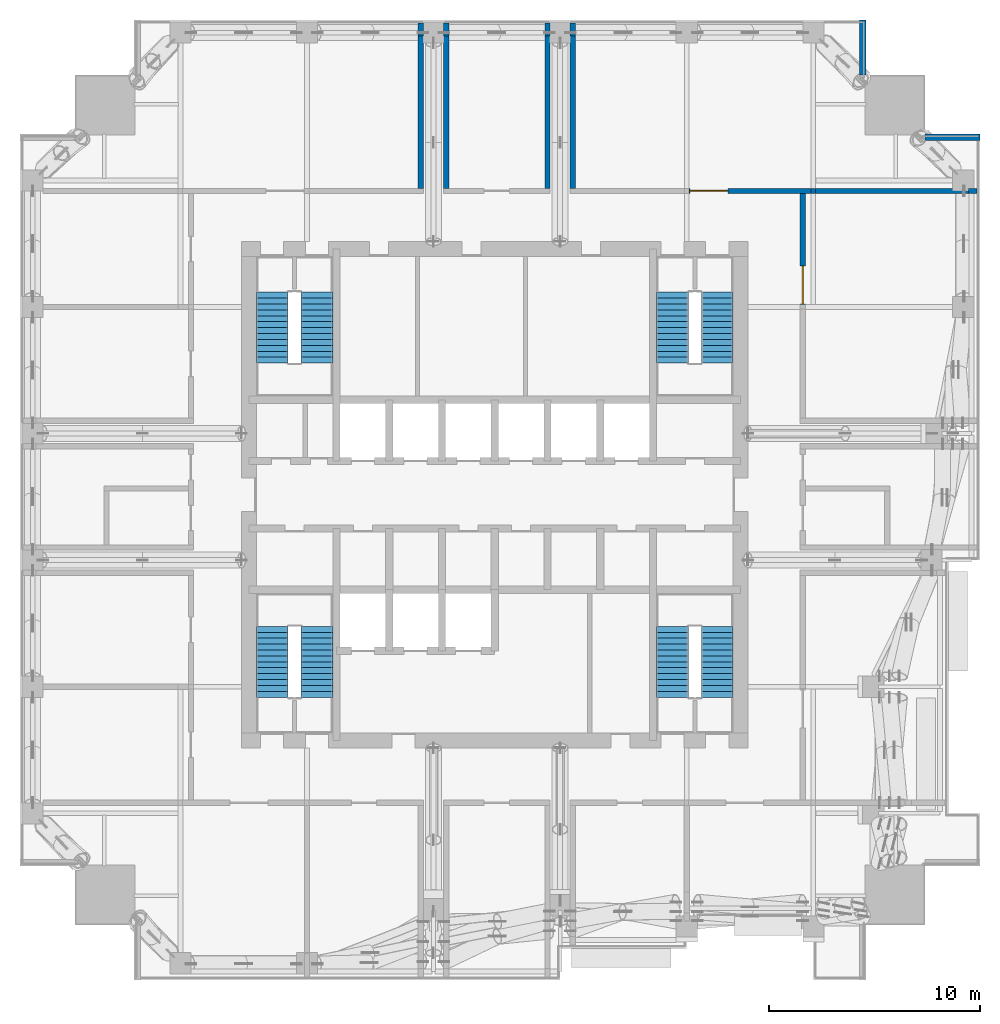
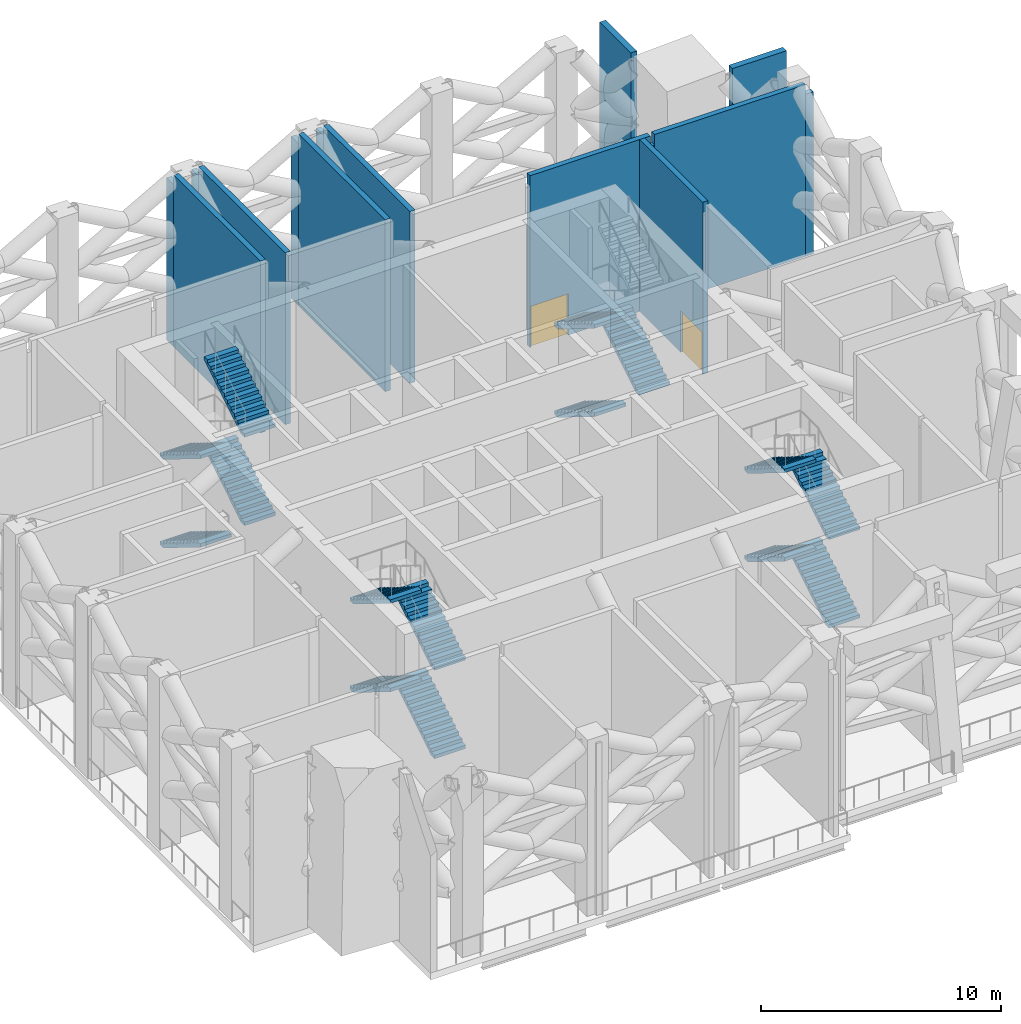
# One storey, part 10 of 18: 15 stair flights, 15 walls, 2 doors, 2 openings, 4 elements without a shape of their own.
"""IFC4 building model written with IfcOpenShell, lengths in metres."""

import ifcopenshell
import ifcopenshell.guid

model = None  # the IFC model being written
_history = None  # IfcOwnerHistory: only IFC2X3 demands one
_inside = {}  # id of a spatial element -> (the spatial element, [elements in it])
_under = {}  # id of a project, library or spatial element -> (it, [spatial elements below it])
_declared = {}  # id of a project -> (the project, [libraries it declares])
_typed = {}  # id of a type object -> (the type object, [elements of that type])
_made_of = {}  # id of a material, layer set ... -> (it, [elements and type objects made of it])


def new_model(schema):
    """Start an empty IFC model of exactly this schema.

    Asked for "IFC4X3", IfcOpenShell would pick the latest addendum, in which some entities
    have other attributes; the version numbers below select the first issue.
    IFC2X3 requires an IfcOwnerHistory on every rooted entity: one is made here for all.
    """
    global model, _history
    if schema == "IFC4X3":
        model = ifcopenshell.file(schema_version=(4, 3, 0, 0))
    else:
        model = ifcopenshell.file(schema=schema)
    _inside.clear()
    _under.clear()
    _declared.clear()
    _typed.clear()
    _made_of.clear()
    _history = None
    if model.schema == "IFC2X3":
        org = make("IfcOrganization", Name="unknown")
        user = make(
            "IfcPersonAndOrganization",
            ThePerson=make("IfcPerson", FamilyName="unknown"),
            TheOrganization=org,
        )
        app = make(
            "IfcApplication",
            ApplicationDeveloper=org,
            Version="unknown",
            ApplicationFullName="unknown",
            ApplicationIdentifier="unknown",
        )
        _history = make(
            "IfcOwnerHistory",
            OwningUser=user,
            OwningApplication=app,
            ChangeAction="ADDED",
            CreationDate=0,
        )
    return model


def make(cls, **values):
    """One entity of the class cls with the attributes given. An attribute that is None is left unset."""
    return model.create_entity(
        cls, **{name: value for name, value in values.items() if value is not None}
    )


def rooted(cls, **values):
    """An entity with a GlobalId (a new one), such as an element, a storey or a relation."""
    return make(cls, GlobalId=ifcopenshell.guid.new(), OwnerHistory=_history, **values)


def si_unit(unit_type, name, prefix=None):
    """IfcSIUnit, for example si_unit("LENGTHUNIT", "METRE", prefix="MILLI")."""
    return make("IfcSIUnit", UnitType=unit_type, Prefix=prefix, Name=name)


def assignment(units):
    """IfcUnitAssignment: the units of a project."""
    return None if units is None else make("IfcUnitAssignment", Units=units)


def point(xyz):
    """IfcCartesianPoint."""
    return None if xyz is None else make("IfcCartesianPoint", Coordinates=xyz)


def direction(xyz):
    """IfcDirection."""
    return None if xyz is None else make("IfcDirection", DirectionRatios=xyz)


def frame(location, z_axis=None, x_axis=None):
    """IfcAxis2Placement3D, a coordinate frame: its origin and axes. An axis left out is left unset."""
    return make(
        "IfcAxis2Placement3D",
        Location=point(location),
        Axis=direction(z_axis),
        RefDirection=direction(x_axis),
    )


def frame_2d(location, x_axis=None):
    """IfcAxis2Placement2D, a coordinate frame in the plane: its origin and x axis."""
    return make(
        "IfcAxis2Placement2D", Location=point(location), RefDirection=direction(x_axis)
    )


def origin():
    """The frame at (0, 0, 0) with its axes left unset."""
    return frame((0.0, 0.0, 0.0))


def place(relative_to, where):
    """IfcLocalPlacement: puts the frame where relative to a parent placement (None: the world)."""
    return make(
        "IfcLocalPlacement", PlacementRelTo=relative_to, RelativePlacement=where
    )


def context(
    kind, dimensions, precision=None, world=None, true_north=None, identifier=None
):
    """IfcGeometricRepresentationContext, for example the 3D "Model" context."""
    return make(
        "IfcGeometricRepresentationContext",
        ContextIdentifier=identifier,
        ContextType=kind,
        CoordinateSpaceDimension=dimensions,
        Precision=precision,
        WorldCoordinateSystem=world,
        TrueNorth=true_north,
    )


def subcontext(parent, identifier, kind, view, scale=None):
    """IfcGeometricRepresentationSubContext, for example "Body" below "Model"."""
    return make(
        "IfcGeometricRepresentationSubContext",
        ContextIdentifier=identifier,
        ContextType=kind,
        ParentContext=parent,
        TargetScale=scale,
        TargetView=view,
    )


def project(units=None, contexts=None):
    """IfcProject with its units and contexts."""
    return rooted(
        "IfcProject",
        Name="project",
        RepresentationContexts=contexts,
        UnitsInContext=assignment(units),
    )


def spatial(cls, under=None, at=None, **own):
    """A site, building, storey or space (cls), placed at a placement, below another one or the project."""
    s = rooted(cls, ObjectPlacement=at, **own)
    if under is not None:
        _under.setdefault(under.id(), (under, []))[1].append(s)
    return s


def polyline(points):
    """IfcPolyline through the points."""
    return make("IfcPolyline", Points=[point(p) for p in points])


def profile(cls, at=None, kind="AREA", **sizes):
    """A parametric profile (cls). Its sizes go by their IFC names, for example OverallWidth=200.0."""
    return make(cls, ProfileType=kind, Position=at, **sizes)


def rectangle(**sizes):
    """IfcRectangleProfileDef."""
    return profile("IfcRectangleProfileDef", **sizes)


def outline(outer, holes=None, kind="AREA"):
    """IfcArbitraryClosedProfileDef: a profile drawn as a closed curve; with holes, ...WithVoids."""
    if holes is None:
        return make("IfcArbitraryClosedProfileDef", ProfileType=kind, OuterCurve=outer)
    return make(
        "IfcArbitraryProfileDefWithVoids",
        ProfileType=kind,
        OuterCurve=outer,
        InnerCurves=holes,
    )


def extrude(swept, where, along, depth):
    """IfcExtrudedAreaSolid: the profile swept, set in the frame where, extruded along a direction by depth."""
    return make(
        "IfcExtrudedAreaSolid",
        SweptArea=swept,
        Position=where,
        ExtrudedDirection=direction(along),
        Depth=depth,
    )


def shape(context_of_items, identifier, shape_type, items):
    """IfcShapeRepresentation: the items that make up one representation, for example the "Body"."""
    return make(
        "IfcShapeRepresentation",
        ContextOfItems=context_of_items,
        RepresentationIdentifier=identifier,
        RepresentationType=shape_type,
        Items=items,
    )


def material(Name=None, Category=None):
    """IfcMaterial."""
    return make("IfcMaterial", Name=Name, Category=Category)


def layer(
    of_material, thickness, ventilated=None, Name=None, Category=None, Priority=None
):
    """IfcMaterialLayer: one layer of a wall or slab, of a material (None: an air gap)."""
    return make(
        "IfcMaterialLayer",
        Material=of_material,
        LayerThickness=thickness,
        IsVentilated=ventilated,
        Name=Name,
        Category=Category,
        Priority=Priority,
    )


def layer_set(layers, Name=None):
    """IfcMaterialLayerSet."""
    return make("IfcMaterialLayerSet", MaterialLayers=layers, LayerSetName=Name)


def made_of(thing, what):
    """Note that an element or type object is made of a material, layer set ...; save() writes the relation."""
    if what is not None:
        _made_of.setdefault(what.id(), (what, []))[1].append(thing)
    return thing


def type_object(cls, material=None, **own):
    """A type object (cls), such as IfcWallType, which elements share."""
    return made_of(rooted(cls, **own), material)


def element(
    cls,
    number,
    at=None,
    inside=None,
    cuts=None,
    type_object=None,
    material=None,
    context=None,
    identifier="Body",
    shape_type=None,
    held_by="IfcProductDefinitionShape",
    body=None,
    shapes=None,
    **own,
):
    """One element of the class cls, such as IfcWall. Its Tag is "e" and its number.

    at: its placement. inside: the storey or other place that contains it. cuts: it is an
    opening in that element (IfcRelVoidsElement). A single representation is given by context,
    identifier, shape_type and body (its items); several are given by shapes. held_by: the class
    of the entity that holds the representations. save() writes the other relations.
    """
    e = rooted(cls, Tag="e%d" % number, ObjectPlacement=at, **own)
    if body is not None:
        shapes = [shape(context, identifier, shape_type, body)]
    if shapes is not None:
        e.Representation = make(held_by, Representations=shapes)
    if inside is not None:
        _inside.setdefault(inside.id(), (inside, []))[1].append(e)
    if cuts is not None:
        rooted(
            "IfcRelVoidsElement", RelatingBuildingElement=cuts, RelatedOpeningElement=e
        )
    if type_object is not None:
        _typed.setdefault(type_object.id(), (type_object, []))[1].append(e)
    return made_of(e, material)


def fill(opening, filler):
    """IfcRelFillsElement: the door or window that sits in an opening."""
    return rooted(
        "IfcRelFillsElement",
        RelatingOpeningElement=opening,
        RelatedBuildingElement=filler,
    )


def aggregate(whole, parts):
    """IfcRelAggregates: a whole, such as a stair, and the parts it consists of."""
    return rooted("IfcRelAggregates", RelatingObject=whole, RelatedObjects=parts)


def save(model, path):
    """Write the relations noted so far, then the file.

    IfcRelAggregates (storeys below a building ...), IfcRelContainedInSpatialStructure (elements
    in a storey), IfcRelDefinesByType, IfcRelAssociatesMaterial and IfcRelDeclares: one each for
    every whole, place, type object, material and project.
    """
    for whole, parts in _under.values():
        aggregate(whole, parts)
    for where, things in _inside.values():
        rooted(
            "IfcRelContainedInSpatialStructure",
            RelatedElements=things,
            RelatingStructure=where,
        )
    for kind, things in _typed.values():
        rooted("IfcRelDefinesByType", RelatedObjects=things, RelatingType=kind)
    for what, things in _made_of.values():
        rooted("IfcRelAssociatesMaterial", RelatedObjects=things, RelatingMaterial=what)
    for by, libraries in _declared.values():
        rooted("IfcRelDeclares", RelatingContext=by, RelatedDefinitions=libraries)
    model.write(path)


model = new_model("IFC4")

# Units and contexts
model_context = context("Model", 3, precision=1e-05, world=origin(), true_north=direction((0.0, 1.0)))
body_context = subcontext(model_context, "Body", "Model", "MODEL_VIEW")
ifc_project = project(units=[si_unit("LENGTHUNIT", "METRE"), si_unit("AREAUNIT", "SQUARE_METRE"), si_unit("VOLUMEUNIT", "CUBIC_METRE"), si_unit("PLANEANGLEUNIT", "RADIAN"), si_unit("MASSUNIT", "GRAM", prefix="KILO")], contexts=[model_context])

# Site, building, storey
site_placement = place(None, origin())
site = spatial("IfcSite", under=ifc_project, at=site_placement, CompositionType="ELEMENT")
building_placement = place(site_placement, origin())
building = spatial("IfcBuilding", under=site, at=building_placement, Name="Amberfall Residences", CompositionType="ELEMENT")
storey_placement = place(building_placement, frame((0.0, 0.0, 178.0)))
storey = spatial("IfcBuildingStorey", under=building, at=storey_placement, Name="L48", CompositionType="ELEMENT", Elevation=178.0)

# Wall, opening, door
ifc_material_1 = material(Name="Reinforced concrete C40", Category="concrete")
ifc_layer_1 = layer(ifc_material_1, 0.25)
ifc_layer_set_1 = layer_set([ifc_layer_1], Name="Compartment wall 250")
wall_type_1 = type_object("IfcWallType", Name="Compartment wall 250", PredefinedType="SOLIDWALL", material=ifc_layer_set_1)
wall_1_placement = place(storey_placement, frame((83.70458984375, 59.89990234375, 0.0), z_axis=(0.0, 0.0, 1.0), x_axis=(1.0, 0.0, 0.0)))
wall_1 = element("IfcWall", 1, at=wall_1_placement, inside=storey, type_object=wall_type_1, Name="Compartment wall 250 L48 044", PredefinedType="SOLIDWALL", context=body_context, shape_type="SweptSolid", body=[
    extrude(rectangle(XDim=5.7900390625, YDim=0.25, at=frame_2d((2.89501953125, 0.0))), origin(), (0.0, 0.0, 1.0), 8.75),
])
opening_1_placement = place(wall_1_placement, frame((0.04541015625, 0.0, 0.0)))
opening_1 = element("IfcOpeningElement", 2, at=opening_1_placement, cuts=wall_1, Name="Opening D13", PredefinedType="OPENING", context=body_context, shape_type="SweptSolid", body=[
    extrude(rectangle(XDim=1.800048828125, YDim=2.10009765625, at=frame_2d((0.89990234375, 1.050048828125))), frame((0.0, 0.135009765625, 0.0), z_axis=(0.0, -1.0, 0.0), x_axis=(1.0, 0.0, 0.0)), (0.0, 0.0, 1.0), 0.27001953125),
])
ifc_material_2 = material(Name="Steel fire door leaf", Category="steel")
door_type = type_object("IfcDoorType", Name="Double fire door 1800x2100 FD60", OperationType="DOUBLE_DOOR_SINGLE_SWING", PredefinedType="DOOR", material=ifc_material_2)
door_1_placement = place(opening_1_placement, origin())
door_1 = element("IfcDoor", 3, at=door_1_placement, inside=storey, type_object=door_type, Name="Door Refuge area 8", OperationType="DOUBLE_DOOR_SINGLE_SWING", OverallHeight=2.10009765625, OverallWidth=1.800048828125, PredefinedType="DOOR", context=body_context, shape_type="SweptSolid", body=[
    extrude(rectangle(XDim=1.800048828125, YDim=2.10009765625, at=frame_2d((0.89990234375, 1.050048828125))), frame((0.0, 0.02490234375, 0.0), z_axis=(0.0, -1.0, 0.0), x_axis=(1.0, 0.0, 0.0)), (0.0, 0.0, 1.0), 0.050048828125),
])
fill(opening_1, door_1)

# Walls
wall_2_placement = place(storey_placement, frame((89.49462890625, 59.89990234375, 0.0), z_axis=(0.0, 0.0, 1.0), x_axis=(1.0, 0.0, 0.0)))
element("IfcWall", 4, at=wall_2_placement, inside=storey, type_object=wall_type_1, Name="Compartment wall 250 L48 045", PredefinedType="SOLIDWALL", context=body_context, shape_type="SweptSolid", body=[
    extrude(rectangle(XDim=0.210693359375, YDim=0.25, at=frame_2d((0.10546875, 0.0))), origin(), (0.0, 0.0, 1.0), 8.2109375),
])
wall_3_placement = place(storey_placement, frame((89.705322265625, 59.89990234375, 0.0), z_axis=(0.0, 0.0, 1.0), x_axis=(1.0, 0.0, 0.0)))
element("IfcWall", 5, at=wall_3_placement, inside=storey, type_object=wall_type_1, Name="Compartment wall 250 L48 046", PredefinedType="SOLIDWALL", context=body_context, shape_type="SweptSolid", body=[
    extrude(rectangle(XDim=7.24462890625, YDim=0.25, at=frame_2d((3.622314453125, 0.0))), origin(), (0.0, 0.0, 1.0), 8.75),
])
wall_4_placement = place(storey_placement, frame((96.949951171875, 59.89990234375, 0.0), z_axis=(0.0, 0.0, 1.0), x_axis=(1.0, 0.0, 0.0)))
element("IfcWall", 6, at=wall_4_placement, inside=storey, type_object=wall_type_1, Name="Compartment wall 250 L48 047", PredefinedType="SOLIDWALL", context=body_context, shape_type="SweptSolid", body=[
    extrude(rectangle(XDim=0.400146484375, YDim=0.25, at=frame_2d((0.2001953125, 0.0))), origin(), (0.0, 0.0, 1.0), 8.25),
])
wall_5_placement = place(storey_placement, frame((71.0, 60.02490234375, 0.0), z_axis=(0.0, 0.0, 1.0), x_axis=(0.0, 1.0, 0.0)))
element("IfcWall", 7, at=wall_5_placement, inside=storey, type_object=wall_type_1, Name="Compartment wall 250 L48 060", PredefinedType="SOLIDWALL", context=body_context, shape_type="SweptSolid", body=[
    extrude(rectangle(XDim=7.22509765625, YDim=0.25, at=frame_2d((3.612548828125, 0.0))), origin(), (0.0, 0.0, 1.0), 8.75),
])
wall_6_placement = place(storey_placement, frame((71.0, 67.25, 0.0), z_axis=(0.0, 0.0, 1.0), x_axis=(0.0, 1.0, 0.0)))
element("IfcWall", 8, at=wall_6_placement, inside=storey, type_object=wall_type_1, Name="Compartment wall 250 L48 061", PredefinedType="SOLIDWALL", context=body_context, shape_type="SweptSolid", body=[
    extrude(rectangle(XDim=0.60009765625, YDim=0.25, at=frame_2d((0.300048828125, 0.0))), origin(), (0.0, 0.0, 1.0), 8.25),
])
wall_7_placement = place(storey_placement, frame((72.199951171875, 60.02490234375, 0.0), z_axis=(0.0, 0.0, 1.0), x_axis=(0.0, 1.0, 0.0)))
element("IfcWall", 9, at=wall_7_placement, inside=storey, type_object=wall_type_1, Name="Compartment wall 250 L48 064", PredefinedType="SOLIDWALL", context=body_context, shape_type="SweptSolid", body=[
    extrude(rectangle(XDim=7.22509765625, YDim=0.25, at=frame_2d((3.612548828125, 0.0))), origin(), (0.0, 0.0, 1.0), 8.75),
])
wall_8_placement = place(storey_placement, frame((72.199951171875, 67.25, 0.0), z_axis=(0.0, 0.0, 1.0), x_axis=(0.0, 1.0, 0.0)))
element("IfcWall", 10, at=wall_8_placement, inside=storey, type_object=wall_type_1, Name="Compartment wall 250 L48 065", PredefinedType="SOLIDWALL", context=body_context, shape_type="SweptSolid", body=[
    extrude(rectangle(XDim=0.60009765625, YDim=0.25, at=frame_2d((0.300048828125, 0.0))), origin(), (0.0, 0.0, 1.0), 8.25),
])
wall_9_placement = place(storey_placement, frame((77.0, 60.02490234375, 0.0), z_axis=(0.0, 0.0, 1.0), x_axis=(0.0, 1.0, 0.0)))
element("IfcWall", 11, at=wall_9_placement, inside=storey, type_object=wall_type_1, Name="Compartment wall 250 L48 068", PredefinedType="SOLIDWALL", context=body_context, shape_type="SweptSolid", body=[
    extrude(rectangle(XDim=7.22509765625, YDim=0.25, at=frame_2d((3.612548828125, 0.0))), origin(), (0.0, 0.0, 1.0), 8.75),
])
wall_10_placement = place(storey_placement, frame((77.0, 67.25, 0.0), z_axis=(0.0, 0.0, 1.0), x_axis=(0.0, 1.0, 0.0)))
element("IfcWall", 12, at=wall_10_placement, inside=storey, type_object=wall_type_1, Name="Compartment wall 250 L48 069", PredefinedType="SOLIDWALL", context=body_context, shape_type="SweptSolid", body=[
    extrude(rectangle(XDim=0.60009765625, YDim=0.25, at=frame_2d((0.300048828125, 0.0))), origin(), (0.0, 0.0, 1.0), 8.25),
])
wall_11_placement = place(storey_placement, frame((78.199951171875, 60.02490234375, 0.0), z_axis=(0.0, 0.0, 1.0), x_axis=(0.0, 1.0, 0.0)))
element("IfcWall", 13, at=wall_11_placement, inside=storey, type_object=wall_type_1, Name="Compartment wall 250 L48 072", PredefinedType="SOLIDWALL", context=body_context, shape_type="SweptSolid", body=[
    extrude(rectangle(XDim=7.22509765625, YDim=0.25, at=frame_2d((3.612548828125, 0.0))), origin(), (0.0, 0.0, 1.0), 8.75),
])
wall_12_placement = place(storey_placement, frame((78.199951171875, 67.25, 0.0), z_axis=(0.0, 0.0, 1.0), x_axis=(0.0, 1.0, 0.0)))
element("IfcWall", 14, at=wall_12_placement, inside=storey, type_object=wall_type_1, Name="Compartment wall 250 L48 073", PredefinedType="SOLIDWALL", context=body_context, shape_type="SweptSolid", body=[
    extrude(rectangle(XDim=0.60009765625, YDim=0.25, at=frame_2d((0.300048828125, 0.0))), origin(), (0.0, 0.0, 1.0), 8.25),
])

# Wall, opening, door
wall_13_placement = place(storey_placement, frame((89.10009765625, 54.504638671875, 0.0), z_axis=(0.0, 0.0, 1.0), x_axis=(0.0, 1.0, 0.0)))
wall_13 = element("IfcWall", 15, at=wall_13_placement, inside=storey, type_object=wall_type_1, Name="Compartment wall 250 L48 083", PredefinedType="SOLIDWALL", context=body_context, shape_type="SweptSolid", body=[
    extrude(rectangle(XDim=5.270263671875, YDim=0.25, at=frame_2d((2.63525390625, 0.0))), origin(), (0.0, 0.0, 1.0), 8.75),
])
opening_2_placement = place(wall_13_placement, frame((0.04541015625, 0.0, 0.0)))
opening_2 = element("IfcOpeningElement", 16, at=opening_2_placement, cuts=wall_13, Name="Opening D13", PredefinedType="OPENING", context=body_context, shape_type="SweptSolid", body=[
    extrude(rectangle(XDim=1.800048828125, YDim=2.10009765625, at=frame_2d((0.89990234375, 1.050048828125))), frame((0.0, 0.135009765625, 0.0), z_axis=(0.0, -1.0, 0.0), x_axis=(1.0, 0.0, 0.0)), (0.0, 0.0, 1.0), 0.27001953125),
])
door_2_placement = place(opening_2_placement, origin())
door_2 = element("IfcDoor", 17, at=door_2_placement, inside=storey, type_object=door_type, Name="Door Refuge area 16", OperationType="DOUBLE_DOOR_SINGLE_SWING", OverallHeight=2.10009765625, OverallWidth=1.800048828125, PredefinedType="DOOR", context=body_context, shape_type="SweptSolid", body=[
    extrude(rectangle(XDim=1.800048828125, YDim=2.10009765625, at=frame_2d((0.89990234375, 1.050048828125))), frame((0.0, 0.02490234375, 0.0), z_axis=(0.0, -1.0, 0.0), x_axis=(1.0, 0.0, 0.0)), (0.0, 0.0, 1.0), 0.050048828125),
])
fill(opening_2, door_2)

# Walls
ifc_material_3 = material(Name="Bronze aluminium louvre cladding on insulated backing", Category="aluminium")
ifc_layer_2 = layer(ifc_material_3, 0.300048828125)
ifc_layer_set_2 = layer_set([ifc_layer_2], Name="Louvre clad wall 300")
wall_type_2 = type_object("IfcWallType", Name="Louvre clad wall 300", PredefinedType="SOLIDWALL", material=ifc_layer_set_2)
for number, where, z_axis, x_axis, name in (
    (18, (97.5, 62.449951171875, 0.0), (0.0, 0.0, 1.0), (-1.0, 0.0, 0.0), "External wall L48 NE"),
    (19, (91.949951171875, 65.39990234375, 0.0), (0.0, 0.0, 1.0), (0.0, 1.0, 0.0), "External wall L48 NE"),
):
    element("IfcWall", number, at=place(storey_placement, frame(where, z_axis=z_axis, x_axis=x_axis)), inside=storey, type_object=wall_type_2, Name=name, PredefinedType="SOLIDWALL", context=body_context, shape_type="SweptSolid", body=[
        extrude(rectangle(XDim=2.60009765625, YDim=0.300048828125, at=frame_2d((1.300048828125, 0.0))), origin(), (0.0, 0.0, 1.0), 8.75),
    ])

# Stair, stair flights
ifc_material_4 = material(Name="Concrete C40", Category="concrete")
stair_type = type_object("IfcStairType", Name="Exit stair 52 risers 173.1 mm", PredefinedType="HALF_TURN_STAIR", material=ifc_material_4)
stair_1_placement = place(storey_placement, origin())
stair_1 = element("IfcStair", 20, at=stair_1_placement, inside=storey, type_object=stair_type, Name="L48 Exit stair 1", PredefinedType="HALF_TURN_STAIR")
stair_flight_type = type_object("IfcStairFlightType", Name="Stair flight 13 risers 173.1 mm", PredefinedType="STRAIGHT", material=ifc_material_4)
stair_flight_1_placement = place(storey_placement, frame((66.074951171875, 35.89990234375, 0.0), z_axis=(0.0, 0.0, 1.0), x_axis=(0.0, 1.0, 0.0)))
stair_flight_1 = element("IfcStairFlight", 21, at=stair_flight_1_placement, type_object=stair_flight_type, Name="ST4 flight 1", NumberOfRisers=13, NumberOfTreads=12, PredefinedType="STRAIGHT", RiserHeight=0.173076923, TreadLength=0.28, context=body_context, shape_type="SweptSolid", body=[
    extrude(outline(polyline([(0.0, 0.0), (0.0, 0.173095703125), (0.280029296875, 0.173095703125), (0.280029296875, 0.34619140625), (0.56005859375, 0.34619140625), (0.56005859375, 0.519287109375), (0.840087890625, 0.519287109375), (0.840087890625, 0.6923828125), (1.1201171875, 0.6923828125), (1.1201171875, 0.865478515625), (1.39990234375, 0.865478515625), (1.39990234375, 1.03857421875), (1.679931640625, 1.03857421875), (1.679931640625, 1.21142578125), (1.9599609375, 1.21142578125), (1.9599609375, 1.384521484375), (2.239990234375, 1.384521484375), (2.239990234375, 1.5576171875), (2.52001953125, 1.5576171875), (2.52001953125, 1.730712890625), (2.800048828125, 1.730712890625), (2.800048828125, 1.90380859375), (3.080078125, 1.90380859375), (3.080078125, 2.076904296875), (3.360107421875, 2.076904296875), (3.360107421875, 2.25), (3.360107421875, 1.900634765625), (0.28515625, 0.0), (0.0, 0.0)])), frame((0.0, 0.75, 0.0), z_axis=(0.0, -1.0, 0.0), x_axis=(1.0, 0.0, 0.0)), (0.0, 0.0, 1.0), 1.5),
])
stair_flight_2_placement = place(storey_placement, frame((63.949951171875, 39.260009765625, 2.25), z_axis=(0.0, 0.0, 1.0), x_axis=(0.0, -1.0, 0.0)))
stair_flight_2 = element("IfcStairFlight", 22, at=stair_flight_2_placement, type_object=stair_flight_type, Name="ST4 flight 2", NumberOfRisers=13, NumberOfTreads=12, PredefinedType="STRAIGHT", RiserHeight=0.173076923, TreadLength=0.28, context=body_context, shape_type="SweptSolid", body=[
    extrude(outline(polyline([(0.0, 0.0), (0.0, 0.173095703125), (0.280029296875, 0.173095703125), (0.280029296875, 0.34619140625), (0.56005859375, 0.34619140625), (0.56005859375, 0.519287109375), (0.840087890625, 0.519287109375), (0.840087890625, 0.6923828125), (1.1201171875, 0.6923828125), (1.1201171875, 0.865478515625), (1.39990234375, 0.865478515625), (1.39990234375, 1.03857421875), (1.679931640625, 1.03857421875), (1.679931640625, 1.21142578125), (1.9599609375, 1.21142578125), (1.9599609375, 1.384521484375), (2.239990234375, 1.384521484375), (2.239990234375, 1.5576171875), (2.52001953125, 1.5576171875), (2.52001953125, 1.730712890625), (2.800048828125, 1.730712890625), (2.800048828125, 1.90380859375), (3.080078125, 1.90380859375), (3.080078125, 2.076904296875), (3.360107421875, 2.076904296875), (3.360107421875, 2.25), (3.360107421875, 1.900634765625), (0.28515625, 0.0), (0.0, 0.0)])), frame((0.0, 0.75, 0.0), z_axis=(0.0, -1.0, 0.0), x_axis=(1.0, 0.0, 0.0)), (0.0, 0.0, 1.0), 1.5),
])
stair_flight_3_placement = place(storey_placement, frame((66.074951171875, 35.89990234375, 4.5), z_axis=(0.0, 0.0, 1.0), x_axis=(0.0, 1.0, 0.0)))
stair_flight_3 = element("IfcStairFlight", 23, at=stair_flight_3_placement, type_object=stair_flight_type, Name="ST4 flight 3", NumberOfRisers=13, NumberOfTreads=12, PredefinedType="STRAIGHT", RiserHeight=0.173076923, TreadLength=0.28, context=body_context, shape_type="SweptSolid", body=[
    extrude(outline(polyline([(0.0, 0.0), (0.0, 0.173095703125), (0.280029296875, 0.173095703125), (0.280029296875, 0.34619140625), (0.56005859375, 0.34619140625), (0.56005859375, 0.519287109375), (0.840087890625, 0.519287109375), (0.840087890625, 0.6923828125), (1.1201171875, 0.6923828125), (1.1201171875, 0.865478515625), (1.39990234375, 0.865478515625), (1.39990234375, 1.03857421875), (1.679931640625, 1.03857421875), (1.679931640625, 1.21142578125), (1.9599609375, 1.21142578125), (1.9599609375, 1.384521484375), (2.239990234375, 1.384521484375), (2.239990234375, 1.5576171875), (2.52001953125, 1.5576171875), (2.52001953125, 1.730712890625), (2.800048828125, 1.730712890625), (2.800048828125, 1.90380859375), (3.080078125, 1.90380859375), (3.080078125, 2.076904296875), (3.360107421875, 2.076904296875), (3.360107421875, 2.25), (3.360107421875, 1.900634765625), (0.28515625, 0.0), (0.0, 0.0)])), frame((0.0, 0.75, 0.0), z_axis=(0.0, -1.0, 0.0), x_axis=(1.0, 0.0, 0.0)), (0.0, 0.0, 1.0), 1.5),
])
stair_flight_4_placement = place(storey_placement, frame((63.949951171875, 39.260009765625, 6.75), z_axis=(0.0, 0.0, 1.0), x_axis=(0.0, -1.0, 0.0)))
stair_flight_4 = element("IfcStairFlight", 24, at=stair_flight_4_placement, type_object=stair_flight_type, Name="ST4 flight 4", NumberOfRisers=13, NumberOfTreads=12, PredefinedType="STRAIGHT", RiserHeight=0.173076923, TreadLength=0.28, context=body_context, shape_type="SweptSolid", body=[
    extrude(outline(polyline([(0.0, 0.0), (0.0, 0.173095703125), (0.280029296875, 0.173095703125), (0.280029296875, 0.34619140625), (0.56005859375, 0.34619140625), (0.56005859375, 0.519287109375), (0.840087890625, 0.519287109375), (0.840087890625, 0.6923828125), (1.1201171875, 0.6923828125), (1.1201171875, 0.865478515625), (1.39990234375, 0.865478515625), (1.39990234375, 1.03857421875), (1.679931640625, 1.03857421875), (1.679931640625, 1.21142578125), (1.9599609375, 1.21142578125), (1.9599609375, 1.384521484375), (2.239990234375, 1.384521484375), (2.239990234375, 1.5576171875), (2.52001953125, 1.5576171875), (2.52001953125, 1.730712890625), (2.800048828125, 1.730712890625), (2.800048828125, 1.90380859375), (3.080078125, 1.90380859375), (3.080078125, 2.076904296875), (3.360107421875, 2.076904296875), (3.360107421875, 2.25), (3.360107421875, 1.900634765625), (0.28515625, 0.0), (0.0, 0.0)])), frame((0.0, 0.75, 0.0), z_axis=(0.0, -1.0, 0.0), x_axis=(1.0, 0.0, 0.0)), (0.0, 0.0, 1.0), 1.5),
])
aggregate(stair_1, [stair_flight_1, stair_flight_2, stair_flight_3, stair_flight_4])

stair_2_placement = place(storey_placement, origin())
stair_2 = element("IfcStair", 25, at=stair_2_placement, inside=storey, type_object=stair_type, Name="L48 Exit stair 2", PredefinedType="HALF_TURN_STAIR")
stair_flight_5_placement = place(storey_placement, frame((85.050048828125, 35.89990234375, 0.0), z_axis=(0.0, 0.0, 1.0), x_axis=(0.0, 1.0, 0.0)))
stair_flight_5 = element("IfcStairFlight", 26, at=stair_flight_5_placement, type_object=stair_flight_type, Name="ST4 flight 1", NumberOfRisers=13, NumberOfTreads=12, PredefinedType="STRAIGHT", RiserHeight=0.173076923, TreadLength=0.28, context=body_context, shape_type="SweptSolid", body=[
    extrude(outline(polyline([(0.0, 0.0), (0.0, 0.173095703125), (0.280029296875, 0.173095703125), (0.280029296875, 0.34619140625), (0.56005859375, 0.34619140625), (0.56005859375, 0.519287109375), (0.840087890625, 0.519287109375), (0.840087890625, 0.6923828125), (1.1201171875, 0.6923828125), (1.1201171875, 0.865478515625), (1.39990234375, 0.865478515625), (1.39990234375, 1.03857421875), (1.679931640625, 1.03857421875), (1.679931640625, 1.21142578125), (1.9599609375, 1.21142578125), (1.9599609375, 1.384521484375), (2.239990234375, 1.384521484375), (2.239990234375, 1.5576171875), (2.52001953125, 1.5576171875), (2.52001953125, 1.730712890625), (2.800048828125, 1.730712890625), (2.800048828125, 1.90380859375), (3.080078125, 1.90380859375), (3.080078125, 2.076904296875), (3.360107421875, 2.076904296875), (3.360107421875, 2.25), (3.360107421875, 1.900634765625), (0.28515625, 0.0), (0.0, 0.0)])), frame((0.0, 0.75, 0.0), z_axis=(0.0, -1.0, 0.0), x_axis=(1.0, 0.0, 0.0)), (0.0, 0.0, 1.0), 1.5),
])
stair_flight_6_placement = place(storey_placement, frame((82.925048828125, 39.260009765625, 2.25), z_axis=(0.0, 0.0, 1.0), x_axis=(0.0, -1.0, 0.0)))
stair_flight_6 = element("IfcStairFlight", 27, at=stair_flight_6_placement, type_object=stair_flight_type, Name="ST4 flight 2", NumberOfRisers=13, NumberOfTreads=12, PredefinedType="STRAIGHT", RiserHeight=0.173076923, TreadLength=0.28, context=body_context, shape_type="SweptSolid", body=[
    extrude(outline(polyline([(0.0, 0.0), (0.0, 0.173095703125), (0.280029296875, 0.173095703125), (0.280029296875, 0.34619140625), (0.56005859375, 0.34619140625), (0.56005859375, 0.519287109375), (0.840087890625, 0.519287109375), (0.840087890625, 0.6923828125), (1.1201171875, 0.6923828125), (1.1201171875, 0.865478515625), (1.39990234375, 0.865478515625), (1.39990234375, 1.03857421875), (1.679931640625, 1.03857421875), (1.679931640625, 1.21142578125), (1.9599609375, 1.21142578125), (1.9599609375, 1.384521484375), (2.239990234375, 1.384521484375), (2.239990234375, 1.5576171875), (2.52001953125, 1.5576171875), (2.52001953125, 1.730712890625), (2.800048828125, 1.730712890625), (2.800048828125, 1.90380859375), (3.080078125, 1.90380859375), (3.080078125, 2.076904296875), (3.360107421875, 2.076904296875), (3.360107421875, 2.25), (3.360107421875, 1.900634765625), (0.28515625, 0.0), (0.0, 0.0)])), frame((0.0, 0.75, 0.0), z_axis=(0.0, -1.0, 0.0), x_axis=(1.0, 0.0, 0.0)), (0.0, 0.0, 1.0), 1.5),
])
stair_flight_7_placement = place(storey_placement, frame((85.050048828125, 35.89990234375, 4.5), z_axis=(0.0, 0.0, 1.0), x_axis=(0.0, 1.0, 0.0)))
stair_flight_7 = element("IfcStairFlight", 28, at=stair_flight_7_placement, type_object=stair_flight_type, Name="ST4 flight 3", NumberOfRisers=13, NumberOfTreads=12, PredefinedType="STRAIGHT", RiserHeight=0.173076923, TreadLength=0.28, context=body_context, shape_type="SweptSolid", body=[
    extrude(outline(polyline([(0.0, 0.0), (0.0, 0.173095703125), (0.280029296875, 0.173095703125), (0.280029296875, 0.34619140625), (0.56005859375, 0.34619140625), (0.56005859375, 0.519287109375), (0.840087890625, 0.519287109375), (0.840087890625, 0.6923828125), (1.1201171875, 0.6923828125), (1.1201171875, 0.865478515625), (1.39990234375, 0.865478515625), (1.39990234375, 1.03857421875), (1.679931640625, 1.03857421875), (1.679931640625, 1.21142578125), (1.9599609375, 1.21142578125), (1.9599609375, 1.384521484375), (2.239990234375, 1.384521484375), (2.239990234375, 1.5576171875), (2.52001953125, 1.5576171875), (2.52001953125, 1.730712890625), (2.800048828125, 1.730712890625), (2.800048828125, 1.90380859375), (3.080078125, 1.90380859375), (3.080078125, 2.076904296875), (3.360107421875, 2.076904296875), (3.360107421875, 2.25), (3.360107421875, 1.900634765625), (0.28515625, 0.0), (0.0, 0.0)])), frame((0.0, 0.75, 0.0), z_axis=(0.0, -1.0, 0.0), x_axis=(1.0, 0.0, 0.0)), (0.0, 0.0, 1.0), 1.5),
])
stair_flight_8_placement = place(storey_placement, frame((82.925048828125, 39.260009765625, 6.75), z_axis=(0.0, 0.0, 1.0), x_axis=(0.0, -1.0, 0.0)))
stair_flight_8 = element("IfcStairFlight", 29, at=stair_flight_8_placement, type_object=stair_flight_type, Name="ST4 flight 4", NumberOfRisers=13, NumberOfTreads=12, PredefinedType="STRAIGHT", RiserHeight=0.173076923, TreadLength=0.28, context=body_context, shape_type="SweptSolid", body=[
    extrude(outline(polyline([(0.0, 0.0), (0.0, 0.173095703125), (0.280029296875, 0.173095703125), (0.280029296875, 0.34619140625), (0.56005859375, 0.34619140625), (0.56005859375, 0.519287109375), (0.840087890625, 0.519287109375), (0.840087890625, 0.6923828125), (1.1201171875, 0.6923828125), (1.1201171875, 0.865478515625), (1.39990234375, 0.865478515625), (1.39990234375, 1.03857421875), (1.679931640625, 1.03857421875), (1.679931640625, 1.21142578125), (1.9599609375, 1.21142578125), (1.9599609375, 1.384521484375), (2.239990234375, 1.384521484375), (2.239990234375, 1.5576171875), (2.52001953125, 1.5576171875), (2.52001953125, 1.730712890625), (2.800048828125, 1.730712890625), (2.800048828125, 1.90380859375), (3.080078125, 1.90380859375), (3.080078125, 2.076904296875), (3.360107421875, 2.076904296875), (3.360107421875, 2.25), (3.360107421875, 1.900634765625), (0.28515625, 0.0), (0.0, 0.0)])), frame((0.0, 0.75, 0.0), z_axis=(0.0, -1.0, 0.0), x_axis=(1.0, 0.0, 0.0)), (0.0, 0.0, 1.0), 1.5),
])
aggregate(stair_2, [stair_flight_5, stair_flight_6, stair_flight_7, stair_flight_8])

stair_3_placement = place(storey_placement, origin())
stair_3 = element("IfcStair", 30, at=stair_3_placement, inside=storey, type_object=stair_type, Name="L48 Exit stair 3", PredefinedType="HALF_TURN_STAIR")
stair_flight_9_placement = place(storey_placement, frame((82.925048828125, 55.10009765625, 0.0), z_axis=(0.0, 0.0, 1.0), x_axis=(0.0, -1.0, 0.0)))
stair_flight_9 = element("IfcStairFlight", 31, at=stair_flight_9_placement, type_object=stair_flight_type, Name="ST4 flight 1", NumberOfRisers=13, NumberOfTreads=12, PredefinedType="STRAIGHT", RiserHeight=0.173076923, TreadLength=0.28, context=body_context, shape_type="SweptSolid", body=[
    extrude(outline(polyline([(0.0, 0.0), (0.0, 0.173095703125), (0.280029296875, 0.173095703125), (0.280029296875, 0.34619140625), (0.56005859375, 0.34619140625), (0.56005859375, 0.519287109375), (0.840087890625, 0.519287109375), (0.840087890625, 0.6923828125), (1.1201171875, 0.6923828125), (1.1201171875, 0.865478515625), (1.39990234375, 0.865478515625), (1.39990234375, 1.03857421875), (1.679931640625, 1.03857421875), (1.679931640625, 1.21142578125), (1.9599609375, 1.21142578125), (1.9599609375, 1.384521484375), (2.239990234375, 1.384521484375), (2.239990234375, 1.5576171875), (2.52001953125, 1.5576171875), (2.52001953125, 1.730712890625), (2.800048828125, 1.730712890625), (2.800048828125, 1.90380859375), (3.080078125, 1.90380859375), (3.080078125, 2.076904296875), (3.360107421875, 2.076904296875), (3.360107421875, 2.25), (3.360107421875, 1.900634765625), (0.28515625, 0.0), (0.0, 0.0)])), frame((0.0, 0.75, 0.0), z_axis=(0.0, -1.0, 0.0), x_axis=(1.0, 0.0, 0.0)), (0.0, 0.0, 1.0), 1.5),
])
stair_flight_10_placement = place(storey_placement, frame((85.050048828125, 51.739990234375, 2.25), z_axis=(0.0, 0.0, 1.0), x_axis=(0.0, 1.0, 0.0)))
stair_flight_10 = element("IfcStairFlight", 32, at=stair_flight_10_placement, type_object=stair_flight_type, Name="ST4 flight 2", NumberOfRisers=13, NumberOfTreads=12, PredefinedType="STRAIGHT", RiserHeight=0.173076923, TreadLength=0.28, context=body_context, shape_type="SweptSolid", body=[
    extrude(outline(polyline([(0.0, 0.0), (0.0, 0.173095703125), (0.280029296875, 0.173095703125), (0.280029296875, 0.34619140625), (0.56005859375, 0.34619140625), (0.56005859375, 0.519287109375), (0.840087890625, 0.519287109375), (0.840087890625, 0.6923828125), (1.1201171875, 0.6923828125), (1.1201171875, 0.865478515625), (1.39990234375, 0.865478515625), (1.39990234375, 1.03857421875), (1.679931640625, 1.03857421875), (1.679931640625, 1.21142578125), (1.9599609375, 1.21142578125), (1.9599609375, 1.384521484375), (2.239990234375, 1.384521484375), (2.239990234375, 1.5576171875), (2.52001953125, 1.5576171875), (2.52001953125, 1.730712890625), (2.800048828125, 1.730712890625), (2.800048828125, 1.90380859375), (3.080078125, 1.90380859375), (3.080078125, 2.076904296875), (3.360107421875, 2.076904296875), (3.360107421875, 2.25), (3.360107421875, 1.900634765625), (0.28515625, 0.0), (0.0, 0.0)])), frame((0.0, 0.75, 0.0), z_axis=(0.0, -1.0, 0.0), x_axis=(1.0, 0.0, 0.0)), (0.0, 0.0, 1.0), 1.5),
])
stair_flight_11_placement = place(storey_placement, frame((82.925048828125, 55.10009765625, 4.5), z_axis=(0.0, 0.0, 1.0), x_axis=(0.0, -1.0, 0.0)))
stair_flight_11 = element("IfcStairFlight", 33, at=stair_flight_11_placement, type_object=stair_flight_type, Name="ST4 flight 3", NumberOfRisers=13, NumberOfTreads=12, PredefinedType="STRAIGHT", RiserHeight=0.173076923, TreadLength=0.28, context=body_context, shape_type="SweptSolid", body=[
    extrude(outline(polyline([(0.0, 0.0), (0.0, 0.173095703125), (0.280029296875, 0.173095703125), (0.280029296875, 0.34619140625), (0.56005859375, 0.34619140625), (0.56005859375, 0.519287109375), (0.840087890625, 0.519287109375), (0.840087890625, 0.6923828125), (1.1201171875, 0.6923828125), (1.1201171875, 0.865478515625), (1.39990234375, 0.865478515625), (1.39990234375, 1.03857421875), (1.679931640625, 1.03857421875), (1.679931640625, 1.21142578125), (1.9599609375, 1.21142578125), (1.9599609375, 1.384521484375), (2.239990234375, 1.384521484375), (2.239990234375, 1.5576171875), (2.52001953125, 1.5576171875), (2.52001953125, 1.730712890625), (2.800048828125, 1.730712890625), (2.800048828125, 1.90380859375), (3.080078125, 1.90380859375), (3.080078125, 2.076904296875), (3.360107421875, 2.076904296875), (3.360107421875, 2.25), (3.360107421875, 1.900634765625), (0.28515625, 0.0), (0.0, 0.0)])), frame((0.0, 0.75, 0.0), z_axis=(0.0, -1.0, 0.0), x_axis=(1.0, 0.0, 0.0)), (0.0, 0.0, 1.0), 1.5),
])
aggregate(stair_3, [stair_flight_9, stair_flight_10, stair_flight_11])

stair_4_placement = place(storey_placement, origin())
stair_4 = element("IfcStair", 34, at=stair_4_placement, inside=storey, type_object=stair_type, Name="L48 Exit stair 4", PredefinedType="HALF_TURN_STAIR")
stair_flight_12_placement = place(storey_placement, frame((63.949951171875, 55.10009765625, 0.0), z_axis=(0.0, 0.0, 1.0), x_axis=(0.0, -1.0, 0.0)))
stair_flight_12 = element("IfcStairFlight", 35, at=stair_flight_12_placement, type_object=stair_flight_type, Name="ST4 flight 1", NumberOfRisers=13, NumberOfTreads=12, PredefinedType="STRAIGHT", RiserHeight=0.173076923, TreadLength=0.28, context=body_context, shape_type="SweptSolid", body=[
    extrude(outline(polyline([(0.0, 0.0), (0.0, 0.173095703125), (0.280029296875, 0.173095703125), (0.280029296875, 0.34619140625), (0.56005859375, 0.34619140625), (0.56005859375, 0.519287109375), (0.840087890625, 0.519287109375), (0.840087890625, 0.6923828125), (1.1201171875, 0.6923828125), (1.1201171875, 0.865478515625), (1.39990234375, 0.865478515625), (1.39990234375, 1.03857421875), (1.679931640625, 1.03857421875), (1.679931640625, 1.21142578125), (1.9599609375, 1.21142578125), (1.9599609375, 1.384521484375), (2.239990234375, 1.384521484375), (2.239990234375, 1.5576171875), (2.52001953125, 1.5576171875), (2.52001953125, 1.730712890625), (2.800048828125, 1.730712890625), (2.800048828125, 1.90380859375), (3.080078125, 1.90380859375), (3.080078125, 2.076904296875), (3.360107421875, 2.076904296875), (3.360107421875, 2.25), (3.360107421875, 1.900634765625), (0.28515625, 0.0), (0.0, 0.0)])), frame((0.0, 0.75, 0.0), z_axis=(0.0, -1.0, 0.0), x_axis=(1.0, 0.0, 0.0)), (0.0, 0.0, 1.0), 1.5),
])
stair_flight_13_placement = place(storey_placement, frame((66.074951171875, 51.739990234375, 2.25), z_axis=(0.0, 0.0, 1.0), x_axis=(0.0, 1.0, 0.0)))
stair_flight_13 = element("IfcStairFlight", 36, at=stair_flight_13_placement, type_object=stair_flight_type, Name="ST4 flight 2", NumberOfRisers=13, NumberOfTreads=12, PredefinedType="STRAIGHT", RiserHeight=0.173076923, TreadLength=0.28, context=body_context, shape_type="SweptSolid", body=[
    extrude(outline(polyline([(0.0, 0.0), (0.0, 0.173095703125), (0.280029296875, 0.173095703125), (0.280029296875, 0.34619140625), (0.56005859375, 0.34619140625), (0.56005859375, 0.519287109375), (0.840087890625, 0.519287109375), (0.840087890625, 0.6923828125), (1.1201171875, 0.6923828125), (1.1201171875, 0.865478515625), (1.39990234375, 0.865478515625), (1.39990234375, 1.03857421875), (1.679931640625, 1.03857421875), (1.679931640625, 1.21142578125), (1.9599609375, 1.21142578125), (1.9599609375, 1.384521484375), (2.239990234375, 1.384521484375), (2.239990234375, 1.5576171875), (2.52001953125, 1.5576171875), (2.52001953125, 1.730712890625), (2.800048828125, 1.730712890625), (2.800048828125, 1.90380859375), (3.080078125, 1.90380859375), (3.080078125, 2.076904296875), (3.360107421875, 2.076904296875), (3.360107421875, 2.25), (3.360107421875, 1.900634765625), (0.28515625, 0.0), (0.0, 0.0)])), frame((0.0, 0.75, 0.0), z_axis=(0.0, -1.0, 0.0), x_axis=(1.0, 0.0, 0.0)), (0.0, 0.0, 1.0), 1.5),
])
stair_flight_14_placement = place(storey_placement, frame((63.949951171875, 55.10009765625, 4.5), z_axis=(0.0, 0.0, 1.0), x_axis=(0.0, -1.0, 0.0)))
stair_flight_14 = element("IfcStairFlight", 37, at=stair_flight_14_placement, type_object=stair_flight_type, Name="ST4 flight 3", NumberOfRisers=13, NumberOfTreads=12, PredefinedType="STRAIGHT", RiserHeight=0.173076923, TreadLength=0.28, context=body_context, shape_type="SweptSolid", body=[
    extrude(outline(polyline([(0.0, 0.0), (0.0, 0.173095703125), (0.280029296875, 0.173095703125), (0.280029296875, 0.34619140625), (0.56005859375, 0.34619140625), (0.56005859375, 0.519287109375), (0.840087890625, 0.519287109375), (0.840087890625, 0.6923828125), (1.1201171875, 0.6923828125), (1.1201171875, 0.865478515625), (1.39990234375, 0.865478515625), (1.39990234375, 1.03857421875), (1.679931640625, 1.03857421875), (1.679931640625, 1.21142578125), (1.9599609375, 1.21142578125), (1.9599609375, 1.384521484375), (2.239990234375, 1.384521484375), (2.239990234375, 1.5576171875), (2.52001953125, 1.5576171875), (2.52001953125, 1.730712890625), (2.800048828125, 1.730712890625), (2.800048828125, 1.90380859375), (3.080078125, 1.90380859375), (3.080078125, 2.076904296875), (3.360107421875, 2.076904296875), (3.360107421875, 2.25), (3.360107421875, 1.900634765625), (0.28515625, 0.0), (0.0, 0.0)])), frame((0.0, 0.75, 0.0), z_axis=(0.0, -1.0, 0.0), x_axis=(1.0, 0.0, 0.0)), (0.0, 0.0, 1.0), 1.5),
])
stair_flight_15_placement = place(storey_placement, frame((66.074951171875, 51.739990234375, 6.75), z_axis=(0.0, 0.0, 1.0), x_axis=(0.0, 1.0, 0.0)))
stair_flight_15 = element("IfcStairFlight", 38, at=stair_flight_15_placement, type_object=stair_flight_type, Name="ST4 flight 4", NumberOfRisers=13, NumberOfTreads=12, PredefinedType="STRAIGHT", RiserHeight=0.173076923, TreadLength=0.28, context=body_context, shape_type="SweptSolid", body=[
    extrude(outline(polyline([(0.0, 0.0), (0.0, 0.173095703125), (0.280029296875, 0.173095703125), (0.280029296875, 0.34619140625), (0.56005859375, 0.34619140625), (0.56005859375, 0.519287109375), (0.840087890625, 0.519287109375), (0.840087890625, 0.6923828125), (1.1201171875, 0.6923828125), (1.1201171875, 0.865478515625), (1.39990234375, 0.865478515625), (1.39990234375, 1.03857421875), (1.679931640625, 1.03857421875), (1.679931640625, 1.21142578125), (1.9599609375, 1.21142578125), (1.9599609375, 1.384521484375), (2.239990234375, 1.384521484375), (2.239990234375, 1.5576171875), (2.52001953125, 1.5576171875), (2.52001953125, 1.730712890625), (2.800048828125, 1.730712890625), (2.800048828125, 1.90380859375), (3.080078125, 1.90380859375), (3.080078125, 2.076904296875), (3.360107421875, 2.076904296875), (3.360107421875, 2.25), (3.360107421875, 1.900634765625), (0.28515625, 0.0), (0.0, 0.0)])), frame((0.0, 0.75, 0.0), z_axis=(0.0, -1.0, 0.0), x_axis=(1.0, 0.0, 0.0)), (0.0, 0.0, 1.0), 1.5),
])
aggregate(stair_4, [stair_flight_12, stair_flight_13, stair_flight_14, stair_flight_15])

save(model, "model.ifc")
